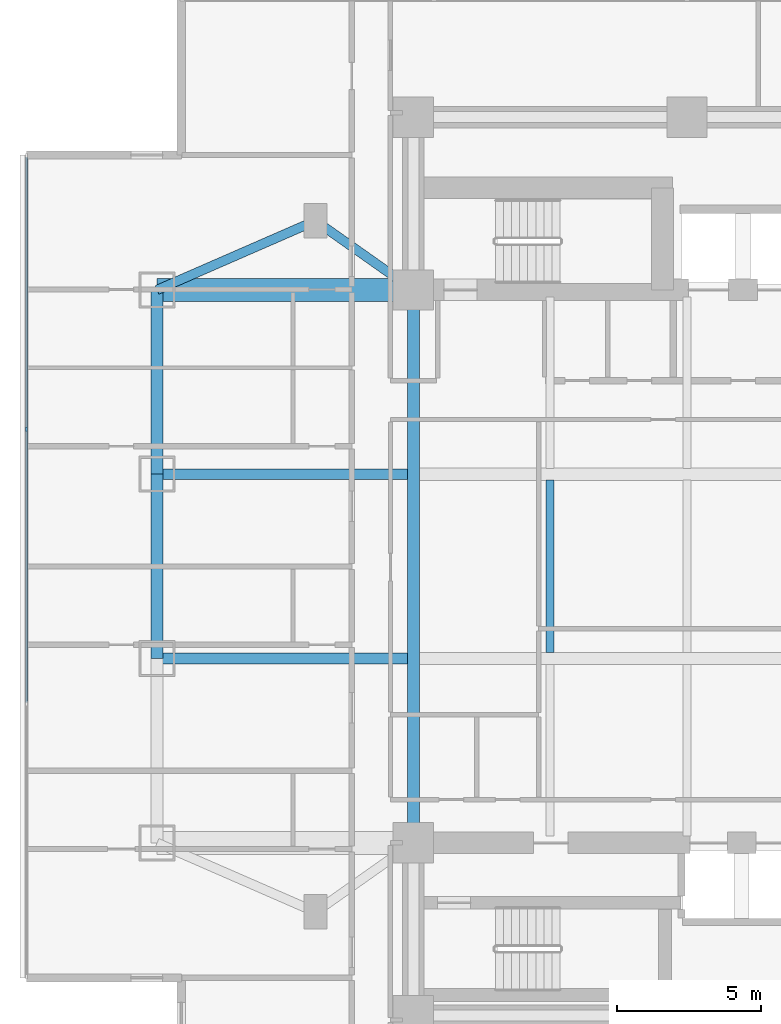
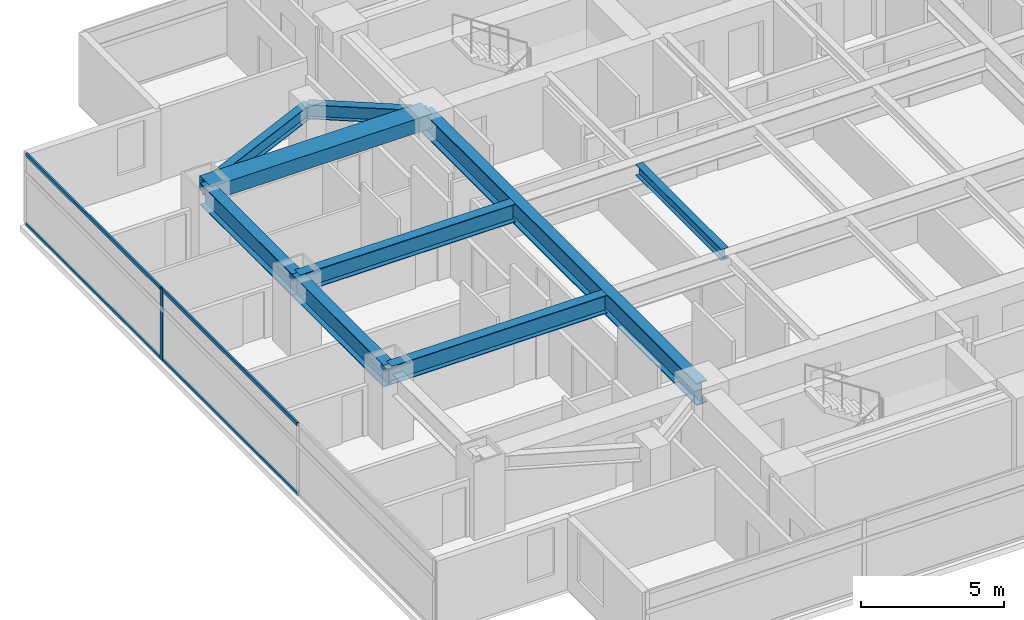
# One storey, part 3 of 26: 9 beams, 5 members, 1 element without a shape of its own.
"""IFC4 building model written with IfcOpenShell, lengths in metres."""

from ifc_helpers import new_model, si_unit, direction, frame, origin, origin_2d, place, context, subcontext, project, spatial, rectangle, i_section, extrude, material, material_profile, profile_set, type_object, element, aggregate, save


model = new_model("IFC4")

# Units and contexts
model_context = context("Model", 3, precision=1e-05, world=origin(), true_north=direction((0.0, 1.0)))
body_context = subcontext(model_context, "Body", "Model", "MODEL_VIEW")
ifc_project = project(units=[si_unit("LENGTHUNIT", "METRE"), si_unit("AREAUNIT", "SQUARE_METRE"), si_unit("VOLUMEUNIT", "CUBIC_METRE"), si_unit("PLANEANGLEUNIT", "RADIAN"), si_unit("MASSUNIT", "GRAM", prefix="KILO")], contexts=[model_context])

# Site, building, storey
site_placement = place(None, origin())
site = spatial("IfcSite", under=ifc_project, at=site_placement, CompositionType="ELEMENT")
building_placement = place(site_placement, origin())
building = spatial("IfcBuilding", under=site, at=building_placement, Name="Mirazonda Arch Towers", CompositionType="ELEMENT")
storey_placement = place(building_placement, frame((0.0, 0.0, 45.5)))
storey = spatial("IfcBuildingStorey", under=building, at=storey_placement, Name="L12", CompositionType="ELEMENT", Elevation=45.5)

# Beams
ifc_material_1 = material(Name="Steel ASTM A992 Grade 50", Category="steel")
ifc_material_profile_1 = material_profile(ifc_material_1, i_section(OverallWidth=0.41796875, OverallDepth=0.927001953125, WebThickness=0.019287109375, FlangeThickness=0.031982421875, at=origin_2d()), Name="W36X231")
ifc_profile_set_1 = profile_set([ifc_material_profile_1], Name="Steel ASTM A992 Grade 50")
beam_type_1 = type_object("IfcBeamType", Name="BM-EXT-W36X231", PredefinedType="USERDEFINED", material=ifc_profile_set_1)
beam_1_placement = place(storey_placement, frame((2.10009765625, 24.800048828125, 2.596435546875), z_axis=(0.0, 1.0, 0.0), x_axis=(-1.0, 0.0, 0.0)))
element("IfcBeam", 1, at=beam_1_placement, inside=storey, type_object=beam_type_1, Name="L12 Floor Beam BM-T1-L12-NS-W-24", ObjectType="GIRDER", PredefinedType="USERDEFINED", context=body_context, shape_type="SweptSolid", body=[
    extrude(i_section(OverallWidth=0.41796875, OverallDepth=0.927001953125, WebThickness=0.019287109375, FlangeThickness=0.031982421875, at=origin_2d()), origin(), (0.0, 0.0, 1.0), 6.39990234375),
])
beam_2_placement = place(storey_placement, frame((2.10009765625, 31.199951171875, 2.596435546875), z_axis=(0.0, 1.0, 0.0), x_axis=(-1.0, 0.0, 0.0)))
element("IfcBeam", 2, at=beam_2_placement, inside=storey, type_object=beam_type_1, Name="L12 Floor Beam BM-T1-L12-NS-W-31", ObjectType="GIRDER", PredefinedType="USERDEFINED", context=body_context, shape_type="SweptSolid", body=[
    extrude(i_section(OverallWidth=0.41796875, OverallDepth=0.927001953125, WebThickness=0.019287109375, FlangeThickness=0.031982421875, at=origin_2d()), origin(), (0.0, 0.0, 1.0), 6.400146484375),
])
ifc_material_profile_2 = material_profile(ifc_material_1, i_section(OverallWidth=0.280029296875, OverallDepth=0.462890625, WebThickness=0.0107421875, FlangeThickness=0.017333984375, at=origin_2d()), Name="W18X76")
ifc_profile_set_2 = profile_set([ifc_material_profile_2], Name="Steel ASTM A992 Grade 50")
beam_type_2 = type_object("IfcBeamType", Name="BM-INT-W18X76", PredefinedType="JOIST", material=ifc_profile_set_2)
beam_3_placement = place(storey_placement, frame((15.75, 25.007568359375, 2.82861328125), z_axis=(0.0, 1.0, 0.0), x_axis=(-1.0, 0.0, 0.0)))
element("IfcBeam", 3, at=beam_3_placement, inside=storey, type_object=beam_type_2, Name="L12 Floor Beam BM-T1-L12-J-157-24", PredefinedType="JOIST", context=body_context, shape_type="SweptSolid", body=[
    extrude(i_section(OverallWidth=0.280029296875, OverallDepth=0.462890625, WebThickness=0.0107421875, FlangeThickness=0.017333984375, at=origin_2d()), origin(), (0.0, 0.0, 1.0), 5.98486328125),
])
ifc_material_profile_3 = material_profile(ifc_material_1, i_section(OverallWidth=0.324951171875, OverallDepth=0.615966796875, WebThickness=0.013916015625, FlangeThickness=0.021484375, at=origin_2d()), Name="W24X117")
ifc_profile_set_3 = profile_set([ifc_material_profile_3], Name="Steel ASTM A992 Grade 50")
beam_type_3 = type_object("IfcBeamType", Name="BM-INT-W24X117", PredefinedType="BEAM", material=ifc_profile_set_3)
beam_4_placement = place(storey_placement, frame((7.60009765625, 40.0, 2.751953125), z_axis=(0.816971114901, -0.576678591087, 0.0), x_axis=(0.576678591087, 0.816971114901, 0.0)))
element("IfcBeam", 4, at=beam_4_placement, inside=storey, type_object=beam_type_3, Name="L12 Floor Beam BM-T1-L12-PL-NW1", PredefinedType="BEAM", context=body_context, shape_type="SweptSolid", body=[
    extrude(i_section(OverallWidth=0.324951171875, OverallDepth=0.615966796875, WebThickness=0.013916015625, FlangeThickness=0.021484375, at=origin_2d()), origin(), (0.0, 0.0, 1.0), 4.16162109375),
])
beam_5_placement = place(storey_placement, frame((7.60009765625, 40.0, 2.751953125), z_axis=(-0.916545343703, -0.399930785183, 0.0), x_axis=(0.399930785183, -0.916545343703, 0.0)))
element("IfcBeam", 5, at=beam_5_placement, inside=storey, type_object=beam_type_3, Name="L12 Floor Beam BM-T1-L12-PL-NW2", PredefinedType="BEAM", context=body_context, shape_type="SweptSolid", body=[
    extrude(i_section(OverallWidth=0.324951171875, OverallDepth=0.615966796875, WebThickness=0.013916015625, FlangeThickness=0.021484375, at=origin_2d()), origin(), (0.0, 0.0, 1.0), 6.000732421875),
])
ifc_material_profile_4 = material_profile(ifc_material_1, i_section(OverallWidth=0.381103515625, OverallDepth=0.77294921875, WebThickness=0.0166015625, FlangeThickness=0.027099609375, at=origin_2d()), Name="W30X173")
ifc_profile_set_4 = profile_set([ifc_material_profile_4], Name="Steel ASTM A992 Grade 50")
beam_type_4 = type_object("IfcBeamType", Name="BM-INT-W30X173", PredefinedType="USERDEFINED", material=ifc_profile_set_4)
for number, where, z_axis, x_axis, name in (
    (6, (2.10009765625, 24.800048828125, 2.673583984375), (1.0, 0.0, 0.0), (0.0, 1.0, 0.0), "L12 Floor Beam BM-T1-L12-GW2"),
    (7, (2.10009765625, 31.199951171875, 2.673583984375), (1.0, 0.0, 0.0), (0.0, 1.0, 0.0), "L12 Floor Beam BM-T1-L12-GW3"),
):
    element("IfcBeam", number, at=place(storey_placement, frame(where, z_axis=z_axis, x_axis=x_axis)), inside=storey, type_object=beam_type_4, Name=name, ObjectType="GIRDER", PredefinedType="USERDEFINED", context=body_context, shape_type="SweptSolid", body=[
        extrude(i_section(OverallWidth=0.381103515625, OverallDepth=0.77294921875, WebThickness=0.0166015625, FlangeThickness=0.027099609375, at=origin_2d()), origin(), (0.0, 0.0, 1.0), 8.6884765625),
    ])
ifc_material_profile_5 = material_profile(ifc_material_1, i_section(OverallWidth=0.423095703125, OverallDepth=0.947998046875, WebThickness=0.02392578125, FlangeThickness=0.042724609375, at=origin_2d()), Name="W36X302")
ifc_profile_set_5 = profile_set([ifc_material_profile_5], Name="Steel ASTM A992 Grade 50")
beam_type_5 = type_object("IfcBeamType", Name="BM-INT-W36X302", PredefinedType="USERDEFINED", material=ifc_profile_set_5)
beam_6_placement = place(storey_placement, frame((11.0, 18.39990234375, 2.5859375), z_axis=(0.0, 1.0, 0.0), x_axis=(-1.0, 0.0, 0.0)))
element("IfcBeam", 8, at=beam_6_placement, inside=storey, type_object=beam_type_5, Name="L12 Floor Beam BM-T1-L12-NS-CW-FULL", ObjectType="GIRDER", PredefinedType="USERDEFINED", context=body_context, shape_type="SweptSolid", body=[
    extrude(i_section(OverallWidth=0.423095703125, OverallDepth=0.947998046875, WebThickness=0.02392578125, FlangeThickness=0.042724609375, at=origin_2d()), origin(), (0.0, 0.0, 1.0), 19.2001953125),
])
ifc_material_2 = material(Name="Concrete C60/75", Category="concrete")
ifc_material_profile_6 = material_profile(ifc_material_2, rectangle(XDim=0.800048828125, YDim=0.60009765625, at=origin_2d()), Name="RCCB800x600")
ifc_profile_set_6 = profile_set([ifc_material_profile_6], Name="Concrete C60/75")
beam_type_6 = type_object("IfcBeamType", Name="CB-INT-RCCB800x600", PredefinedType="SPANDREL", material=ifc_profile_set_6)
beam_7_placement = place(storey_placement, frame((2.10009765625, 37.60009765625, 2.760009765625), z_axis=(1.0, 0.0, 0.0), x_axis=(0.0, 1.0, 0.0)))
element("IfcBeam", 9, at=beam_7_placement, inside=storey, type_object=beam_type_6, Name="L12 Floor Beam CBC-T1-L12-NW", PredefinedType="SPANDREL", context=body_context, shape_type="SweptSolid", body=[
    extrude(rectangle(XDim=0.800048828125, YDim=0.60009765625, at=origin_2d()), origin(), (0.0, 0.0, 1.0), 8.89990234375),
])

# Curtain wall, members
ifc_material_3 = material(Name="Anodised Aluminium and Low-E Glass", Category="aluminium")
curtain_wall_type = type_object("IfcCurtainWallType", Name="CW-HTL-UNIT", PredefinedType="NOTDEFINED", material=ifc_material_3)
curtain_wall_placement = place(storey_placement, origin())
curtain_wall = element("IfcCurtainWall", 10, at=curtain_wall_placement, inside=storey, type_object=curtain_wall_type, Name="L12 T1 W Facade CW-L12-T1-W", PredefinedType="NOTDEFINED")
ifc_material_4 = material(Name="Anodised Aluminium Alloy", Category="aluminium")
ifc_material_profile_7 = material_profile(ifc_material_4, rectangle(XDim=0.074951171875, YDim=0.1650390625, at=origin_2d()), Name="ALU-MULL-75x165")
ifc_profile_set_7 = profile_set([ifc_material_profile_7], Name="Anodised Aluminium Alloy")
member_type_1 = type_object("IfcMemberType", Name="MULL-CW-HTL-UNIT", PredefinedType="MULLION", material=ifc_profile_set_7)
member_1_placement = place(storey_placement, frame((-2.43994140625, 32.761962890625, 0.0), z_axis=(0.0, 0.0, 1.0), x_axis=(1.0, 0.0, 0.0)))
member_1 = element("IfcMember", 11, at=member_1_placement, type_object=member_type_1, Name="CW-112 mullion 2", PredefinedType="MULLION", context=body_context, shape_type="SweptSolid", body=[
    extrude(rectangle(XDim=0.074951171875, YDim=0.1650390625, at=origin_2d()), origin(), (0.0, 0.0, 1.0), 3.0400390625),
])
ifc_material_profile_8 = material_profile(ifc_material_4, rectangle(XDim=0.074951171875, YDim=0.14501953125, at=origin_2d()), Name="ALU-TRAN-75x145")
ifc_profile_set_8 = profile_set([ifc_material_profile_8], Name="Anodised Aluminium Alloy")
member_type_2 = type_object("IfcMemberType", Name="TRAN-CW-HTL-UNIT", PredefinedType="USERDEFINED", material=ifc_profile_set_8)
member_2_placement = place(storey_placement, frame((-2.43994140625, 42.2109375, 0.03759765625), z_axis=(0.0, -1.0, 0.0), x_axis=(1.0, 0.0, 0.0)))
member_2 = element("IfcMember", 12, at=member_2_placement, type_object=member_type_2, Name="CW-112 transom 1.1", ObjectType="TRANSOM", PredefinedType="USERDEFINED", context=body_context, shape_type="SweptSolid", body=[
    extrude(rectangle(XDim=0.074951171875, YDim=0.14501953125, at=origin_2d()), origin(), (0.0, 0.0, 1.0), 9.411376953125),
])
member_3_placement = place(storey_placement, frame((-2.43994140625, 42.2109375, 3.00244140625), z_axis=(0.0, -1.0, 0.0), x_axis=(1.0, 0.0, 0.0)))
member_3 = element("IfcMember", 13, at=member_3_placement, type_object=member_type_2, Name="CW-112 transom 1.2", ObjectType="TRANSOM", PredefinedType="USERDEFINED", context=body_context, shape_type="SweptSolid", body=[
    extrude(rectangle(XDim=0.074951171875, YDim=0.14501953125, at=origin_2d()), origin(), (0.0, 0.0, 1.0), 9.411376953125),
])
member_4_placement = place(storey_placement, frame((-2.43994140625, 32.724609375, 0.03759765625), z_axis=(0.0, -1.0, 0.0), x_axis=(1.0, 0.0, 0.0)))
member_4 = element("IfcMember", 14, at=member_4_placement, type_object=member_type_2, Name="CW-112 transom 2.1", ObjectType="TRANSOM", PredefinedType="USERDEFINED", context=body_context, shape_type="SweptSolid", body=[
    extrude(rectangle(XDim=0.074951171875, YDim=0.14501953125, at=origin_2d()), origin(), (0.0, 0.0, 1.0), 9.44921875),
])
member_5_placement = place(storey_placement, frame((-2.43994140625, 32.724609375, 3.00244140625), z_axis=(0.0, -1.0, 0.0), x_axis=(1.0, 0.0, 0.0)))
member_5 = element("IfcMember", 15, at=member_5_placement, type_object=member_type_2, Name="CW-112 transom 2.2", ObjectType="TRANSOM", PredefinedType="USERDEFINED", context=body_context, shape_type="SweptSolid", body=[
    extrude(rectangle(XDim=0.074951171875, YDim=0.14501953125, at=origin_2d()), origin(), (0.0, 0.0, 1.0), 9.44921875),
])
aggregate(curtain_wall, [member_1, member_2, member_3, member_4, member_5])

save(model, "model.ifc")
